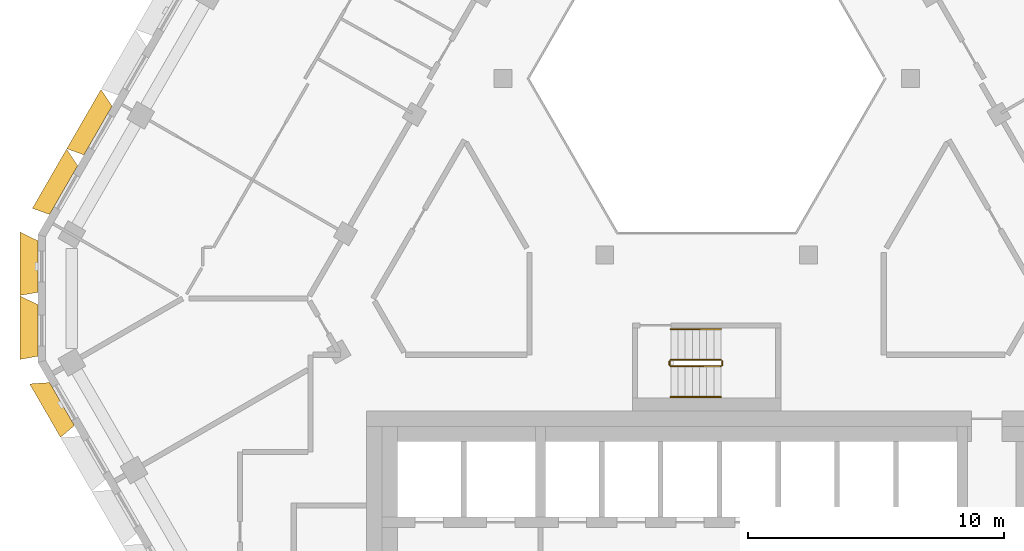
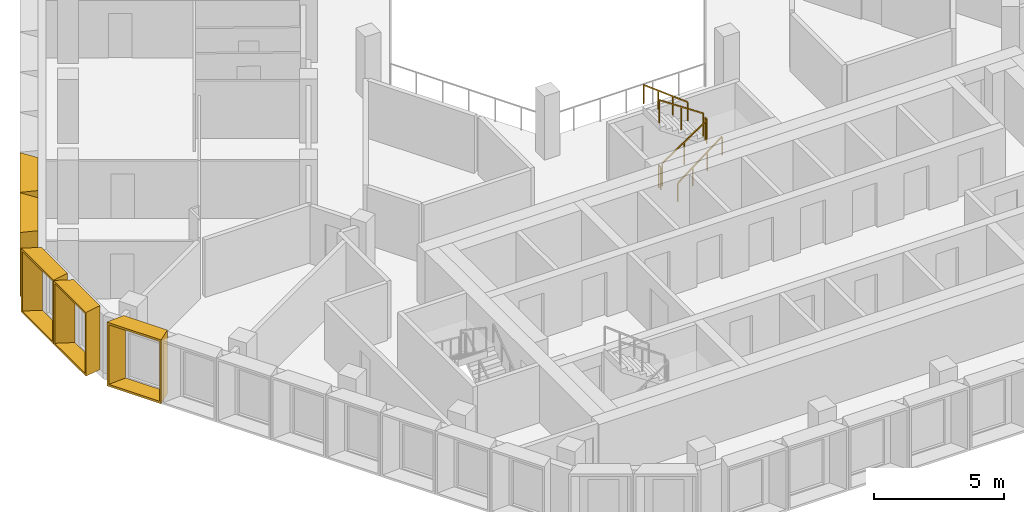
# One storey, part 14 of 17: 6 railings, 5 shading devices.
"""IFC4 building model written with IfcOpenShell, lengths in metres."""

from ifc_helpers import new_model, entity, si_unit, direction, frame, origin, origin_2d, place, context, subcontext, project, spatial, rectangle, extrude, source, transform, mapped, material, type_object, type_shapes, element, save


model = new_model("IFC4")

# Units and contexts
model_context = context("Model", 3, precision=1e-05, world=origin(), true_north=direction((0.0, 1.0)))
body_context = subcontext(model_context, "Body", "Model", "MODEL_VIEW")
ifc_project = project(units=[si_unit("LENGTHUNIT", "METRE"), si_unit("AREAUNIT", "SQUARE_METRE"), si_unit("VOLUMEUNIT", "CUBIC_METRE"), si_unit("PLANEANGLEUNIT", "RADIAN"), si_unit("MASSUNIT", "GRAM", prefix="KILO")], contexts=[model_context])

# Site, building, storey
site_placement = place(None, origin())
site = spatial("IfcSite", under=ifc_project, at=site_placement, CompositionType="ELEMENT")
building_placement = place(site_placement, origin())
building = spatial("IfcBuilding", under=site, at=building_placement, Name="Beryl Residences", CompositionType="ELEMENT")
storey_placement = place(building_placement, frame((0.0, 0.0, 166.199951171875)))
storey = spatial("IfcBuildingStorey", under=building, at=storey_placement, Name="L50", CompositionType="ELEMENT", Elevation=166.199951171875)

# Shading devices
ifc_material_1 = material(Name="Aluminium pale anodised", Category="aluminium")
shading_device_type_1 = type_object("IfcShadingDeviceType", Name="FR243-70B OUTER SKIN frame 700 mm deep, splay 26/10 deg, 2430 x 3000 mm cell", PredefinedType="USERDEFINED", material=ifc_material_1)
cartesian_point_1 = entity("IfcCartesianPoint", [-0.972412109375, 0.0])
cartesian_point_2 = entity("IfcCartesianPoint", [-0.883544921875, 0.10009765625])
cartesian_point_3 = entity("IfcCartesianPoint", [-1.31396484375, 0.0])
cartesian_point_4 = entity("IfcCartesianPoint", [-1.224853515625, 0.10009765625])
shared_shape_1 = source(origin(), body_context, "Body", "SweptSolid", [
    entity("IfcExtrudedAreaSolidTapered", entity("IfcArbitraryProfileDefWithVoids", "AREA", None, entity("IfcPolyline", [cartesian_point_1, entity("IfcCartesianPoint", [0.972412109375, 0.0]), entity("IfcCartesianPoint", [0.972412109375, 3.0]), entity("IfcCartesianPoint", [-0.972412109375, 3.0]), cartesian_point_1]), [entity("IfcPolyline", [cartesian_point_2, entity("IfcCartesianPoint", [0.891357421875, 0.10009765625]), entity("IfcCartesianPoint", [0.891357421875, 2.89990234375]), entity("IfcCartesianPoint", [-0.883544921875, 2.89990234375]), cartesian_point_2])]), entity("IfcAxis2Placement3D", entity("IfcCartesianPoint", [0.0, 0.0, 0.0]), entity("IfcDirection", [0.0, 1.0, 0.0]), entity("IfcDirection", [-1.0, 0.0, 0.0])), entity("IfcDirection", [0.0, 0.0, 1.0]), 0.699951171875, entity("IfcArbitraryProfileDefWithVoids", "AREA", None, entity("IfcPolyline", [cartesian_point_3, entity("IfcCartesianPoint", [1.095947265625, 0.0]), entity("IfcCartesianPoint", [1.095947265625, 3.0]), entity("IfcCartesianPoint", [-1.31396484375, 3.0]), cartesian_point_3]), [entity("IfcPolyline", [cartesian_point_4, entity("IfcCartesianPoint", [1.0146484375, 0.10009765625]), entity("IfcCartesianPoint", [1.0146484375, 2.89990234375]), entity("IfcCartesianPoint", [-1.224853515625, 2.89990234375]), cartesian_point_4])])),
])
type_shapes(shading_device_type_1, [shared_shape_1])
shading_device_placement = place(storey_placement, frame((-25.212890625, -4.72802734375, 0.0), z_axis=(0.0, 0.0, 1.0), x_axis=(-0.5, 0.866025403784, 0.0)))
element("IfcShadingDevice", 1, at=shading_device_placement, inside=storey, type_object=shading_device_type_1, Name="FR243-70B frame L50 SW 1", ObjectType="OUTER SKIN", PredefinedType="USERDEFINED", context=body_context, shape_type="MappedRepresentation", body=[
    mapped(shared_shape_1, transform((0.0, 0.0, 0.0))),
])
ifc_material_2 = material(Name="Aluminium pale anodised", Category="aluminium")
shading_device_type_2 = type_object("IfcShadingDeviceType", Name="FR250-70B OUTER SKIN frame 700 mm deep, splay 26/10 deg, 2500 x 3000 mm cell", PredefinedType="USERDEFINED", material=ifc_material_2)
cartesian_point_5 = entity("IfcCartesianPoint", [-1.007568359375, 0.0])
cartesian_point_6 = entity("IfcCartesianPoint", [-0.91845703125, 0.10009765625])
cartesian_point_7 = entity("IfcCartesianPoint", [-1.348876953125, 0.0])
cartesian_point_8 = entity("IfcCartesianPoint", [-1.260009765625, 0.10009765625])
shared_shape_2 = source(origin(), body_context, "Body", "SweptSolid", [
    entity("IfcExtrudedAreaSolidTapered", entity("IfcArbitraryProfileDefWithVoids", "AREA", None, entity("IfcPolyline", [cartesian_point_5, entity("IfcCartesianPoint", [1.007568359375, 0.0]), entity("IfcCartesianPoint", [1.007568359375, 3.0]), entity("IfcCartesianPoint", [-1.007568359375, 3.0]), cartesian_point_5]), [entity("IfcPolyline", [cartesian_point_6, entity("IfcCartesianPoint", [0.92626953125, 0.10009765625]), entity("IfcCartesianPoint", [0.92626953125, 2.89990234375]), entity("IfcCartesianPoint", [-0.91845703125, 2.89990234375]), cartesian_point_6])]), entity("IfcAxis2Placement3D", entity("IfcCartesianPoint", [0.0, 0.0, 0.0]), entity("IfcDirection", [0.0, 1.0, 0.0]), entity("IfcDirection", [-1.0, 0.0, 0.0])), entity("IfcDirection", [0.0, 0.0, 1.0]), 0.699951171875, entity("IfcArbitraryProfileDefWithVoids", "AREA", None, entity("IfcPolyline", [cartesian_point_7, entity("IfcCartesianPoint", [1.130859375, 0.0]), entity("IfcCartesianPoint", [1.130859375, 3.0]), entity("IfcCartesianPoint", [-1.348876953125, 3.0]), cartesian_point_7]), [entity("IfcPolyline", [cartesian_point_8, entity("IfcCartesianPoint", [1.0498046875, 0.10009765625]), entity("IfcCartesianPoint", [1.0498046875, 2.89990234375]), entity("IfcCartesianPoint", [-1.260009765625, 2.89990234375]), cartesian_point_8])])),
])
type_shapes(shading_device_type_2, [shared_shape_2])
for number, where, z_axis, x_axis, name in (
    (2, (-26.154052734375, 0.64990234375, 0.0), (0.0, 0.0, 1.0), (0.0, 1.0, 0.0), "FR250-70B frame L50 NW-SW 1"),
    (3, (-26.154052734375, -1.85009765625, 0.0), (0.0, 0.0, 1.0), (0.0, 1.0, 0.0), "FR250-70B frame L50 NW-SW 2"),
):
    element("IfcShadingDevice", number, at=place(storey_placement, frame(where, z_axis=z_axis, x_axis=x_axis)), inside=storey, type_object=shading_device_type_2, Name=name, ObjectType="OUTER SKIN", PredefinedType="USERDEFINED", context=body_context, shape_type="MappedRepresentation", body=[
        mapped(shared_shape_2, transform((0.0, 0.0, 0.0))),
    ])
ifc_material_3 = material(Name="Aluminium pale anodised", Category="aluminium")
shading_device_type_3 = type_object("IfcShadingDeviceType", Name="FR269-70B OUTER SKIN frame 700 mm deep, splay 26/10 deg, 2690 x 3000 mm cell", PredefinedType="USERDEFINED", material=ifc_material_3)
cartesian_point_9 = entity("IfcCartesianPoint", [-1.1025390625, 0.0])
cartesian_point_10 = entity("IfcCartesianPoint", [-1.013427734375, 0.10009765625])
cartesian_point_11 = entity("IfcCartesianPoint", [-1.44384765625, 0.0])
cartesian_point_12 = entity("IfcCartesianPoint", [-1.35498046875, 0.10009765625])
shared_shape_3 = source(origin(), body_context, "Body", "SweptSolid", [
    entity("IfcExtrudedAreaSolidTapered", entity("IfcArbitraryProfileDefWithVoids", "AREA", None, entity("IfcPolyline", [cartesian_point_9, entity("IfcCartesianPoint", [1.1025390625, 0.0]), entity("IfcCartesianPoint", [1.1025390625, 3.0]), entity("IfcCartesianPoint", [-1.1025390625, 3.0]), cartesian_point_9]), [entity("IfcPolyline", [cartesian_point_10, entity("IfcCartesianPoint", [1.021240234375, 0.10009765625]), entity("IfcCartesianPoint", [1.021240234375, 2.89990234375]), entity("IfcCartesianPoint", [-1.013427734375, 2.89990234375]), cartesian_point_10])]), entity("IfcAxis2Placement3D", entity("IfcCartesianPoint", [0.0, 0.0, 0.0]), entity("IfcDirection", [0.0, 1.0, 0.0]), entity("IfcDirection", [-1.0, 0.0, 0.0])), entity("IfcDirection", [0.0, 0.0, 1.0]), 0.699951171875, entity("IfcArbitraryProfileDefWithVoids", "AREA", None, entity("IfcPolyline", [cartesian_point_11, entity("IfcCartesianPoint", [1.225830078125, 0.0]), entity("IfcCartesianPoint", [1.225830078125, 3.0]), entity("IfcCartesianPoint", [-1.44384765625, 3.0]), cartesian_point_11]), [entity("IfcPolyline", [cartesian_point_12, entity("IfcCartesianPoint", [1.144775390625, 0.10009765625]), entity("IfcCartesianPoint", [1.144775390625, 2.89990234375]), entity("IfcCartesianPoint", [-1.35498046875, 2.89990234375]), cartesian_point_12])])),
])
type_shapes(shading_device_type_3, [shared_shape_3])
for number, where, z_axis, x_axis, name in (
    (4, (-23.802978515625, 5.971923828125, 0.0), (0.0, 0.0, 1.0), (0.5, 0.866025403784, 0.0), "FR269-70B frame L50 NW 7"),
    (5, (-25.14892578125, 3.639892578125, 0.0), (0.0, 0.0, 1.0), (0.5, 0.866025403784, 0.0), "FR269-70B frame L50 NW 8"),
):
    element("IfcShadingDevice", number, at=place(storey_placement, frame(where, z_axis=z_axis, x_axis=x_axis)), inside=storey, type_object=shading_device_type_3, Name=name, ObjectType="OUTER SKIN", PredefinedType="USERDEFINED", context=body_context, shape_type="MappedRepresentation", body=[
        mapped(shared_shape_3, transform((0.0, 0.0, 0.0))),
    ])

# Railings
ifc_material_4 = material(Name="Stainless steel balustrade with glass infill", Category="steel")
railing_type_1 = type_object("IfcRailingType", Name="SG1 stair guard 1100 mm", PredefinedType="GUARDRAIL", material=ifc_material_4)
railing_1_placement = place(storey_placement, frame((-1.39990234375, -3.25, 0.1875)))
element("IfcRailing", 6, at=railing_1_placement, inside=storey, type_object=railing_type_1, Name="L50 ST-4 stair guard 1", PredefinedType="GUARDRAIL", context=body_context, shape_type="SweptSolid", body=[
    extrude(rectangle(XDim=0.048095703125, YDim=0.048095703125, at=origin_2d()), frame((0.0, 0.0, 1.076171875), z_axis=(0.830902050051, 0.0, 0.556418712142), x_axis=(0.0, 1.0, 0.0)), (0.0, 0.0, 1.0), 2.35888671875),
    extrude(rectangle(XDim=0.0419921875, YDim=0.0419921875, at=origin_2d()), origin(), (0.0, 0.0, 1.0), 1.052001953125),
    extrude(rectangle(XDim=0.0419921875, YDim=0.0419921875, at=origin_2d()), frame((0.97998046875, 0.0, 0.65625)), (0.0, 0.0, 1.0), 1.052001953125),
    extrude(rectangle(XDim=0.0419921875, YDim=0.0419921875, at=origin_2d()), frame((1.9599609375, 0.0, 1.3125)), (0.0, 0.0, 1.0), 1.052001953125),
])
railing_2_placement = place(storey_placement, frame((0.610107421875, -3.199951171875, 1.5)))
element("IfcRailing", 7, at=railing_2_placement, inside=storey, type_object=railing_type_1, Name="L50 ST-4 stair guard 2", PredefinedType="GUARDRAIL", context=body_context, shape_type="SweptSolid", body=[
    extrude(rectangle(XDim=0.048095703125, YDim=0.048095703125, at=origin_2d()), frame((0.0, 0.0, 1.076171875), z_axis=(0.0, 1.0, 0.0), x_axis=(-1.0, 0.0, 0.0)), (0.0, 0.0, 1.0), 0.14990234375),
    extrude(rectangle(XDim=0.0419921875, YDim=0.0419921875, at=origin_2d()), origin(), (0.0, 0.0, 1.0), 1.052001953125),
    extrude(rectangle(XDim=0.0419921875, YDim=0.0419921875, at=origin_2d()), frame((0.0, 0.14990234375, 0.0)), (0.0, 0.0, 1.0), 1.052001953125),
])
railing_3_placement = place(storey_placement, frame((0.56005859375, -3.0, 1.6875)))
element("IfcRailing", 8, at=railing_3_placement, inside=storey, type_object=railing_type_1, Name="L50 ST-4 stair guard 3", PredefinedType="GUARDRAIL", context=body_context, shape_type="SweptSolid", body=[
    extrude(rectangle(XDim=0.048095703125, YDim=0.048095703125, at=origin_2d()), frame((0.0, 0.0, 1.076171875), z_axis=(-0.830902050051, 0.0, 0.556418712142), x_axis=(0.0, -1.0, 0.0)), (0.0, 0.0, 1.0), 2.35888671875),
    extrude(rectangle(XDim=0.0419921875, YDim=0.0419921875, at=origin_2d()), origin(), (0.0, 0.0, 1.0), 1.052001953125),
    extrude(rectangle(XDim=0.0419921875, YDim=0.0419921875, at=origin_2d()), frame((-0.97998046875, 0.0, 0.65625)), (0.0, 0.0, 1.0), 1.052001953125),
    extrude(rectangle(XDim=0.0419921875, YDim=0.0419921875, at=origin_2d()), frame((-1.9599609375, 0.0, 1.3125)), (0.0, 0.0, 1.0), 1.052001953125),
])
railing_4_placement = place(storey_placement, frame((-1.449951171875, -3.199951171875, 0.0)))
element("IfcRailing", 9, at=railing_4_placement, inside=storey, type_object=railing_type_1, Name="L50 ST-4 stair guard 4", PredefinedType="GUARDRAIL", context=body_context, shape_type="SweptSolid", body=[
    extrude(rectangle(XDim=0.048095703125, YDim=0.048095703125, at=origin_2d()), frame((0.0, 0.0, 1.076171875), z_axis=(0.0, 1.0, 0.0), x_axis=(-1.0, 0.0, 0.0)), (0.0, 0.0, 1.0), 0.14990234375),
    extrude(rectangle(XDim=0.0419921875, YDim=0.0419921875, at=origin_2d()), origin(), (0.0, 0.0, 1.0), 1.052001953125),
    extrude(rectangle(XDim=0.0419921875, YDim=0.0419921875, at=origin_2d()), frame((0.0, 0.14990234375, 0.0)), (0.0, 0.0, 1.0), 1.052001953125),
])
ifc_material_5 = material(Name="Stainless steel handrail", Category="steel")
railing_type_2 = type_object("IfcRailingType", Name="SRL1 stair handrail 900 mm", PredefinedType="HANDRAIL", material=ifc_material_5)
railing_5_placement = place(storey_placement, frame((-1.39990234375, -4.449951171875, 0.1875)))
element("IfcRailing", 10, at=railing_5_placement, inside=storey, type_object=railing_type_2, Name="L50 ST-4 stair handrail 1", PredefinedType="HANDRAIL", context=body_context, shape_type="SweptSolid", body=[
    extrude(rectangle(XDim=0.048095703125, YDim=0.048095703125, at=origin_2d()), frame((0.0, 0.0, 0.8759765625), z_axis=(0.794121922505, 0.0, 0.607758481798), x_axis=(0.0, 1.0, 0.0)), (0.0, 0.0, 1.0), 2.468017578125),
    extrude(rectangle(XDim=0.0419921875, YDim=0.0419921875, at=origin_2d()), origin(), (0.0, 0.0, 1.0), 0.851806640625),
    extrude(rectangle(XDim=0.0419921875, YDim=0.0419921875, at=origin_2d()), frame((0.6533203125, 0.0, 0.5)), (0.0, 0.0, 1.0), 0.851806640625),
    extrude(rectangle(XDim=0.0419921875, YDim=0.0419921875, at=origin_2d()), frame((1.306640625, 0.0, 1.0)), (0.0, 0.0, 1.0), 0.851806640625),
    extrude(rectangle(XDim=0.0419921875, YDim=0.0419921875, at=origin_2d()), frame((1.9599609375, 0.0, 1.5)), (0.0, 0.0, 1.0), 0.851806640625),
])
railing_6_placement = place(storey_placement, frame((0.56005859375, -1.800048828125, 1.6875)))
element("IfcRailing", 11, at=railing_6_placement, inside=storey, type_object=railing_type_2, Name="L50 ST-4 stair handrail 2", PredefinedType="HANDRAIL", context=body_context, shape_type="SweptSolid", body=[
    extrude(rectangle(XDim=0.048095703125, YDim=0.048095703125, at=origin_2d()), frame((0.0, 0.0, 0.8759765625), z_axis=(-0.794121922505, 0.0, 0.607758481798), x_axis=(0.0, -1.0, 0.0)), (0.0, 0.0, 1.0), 2.468017578125),
    extrude(rectangle(XDim=0.0419921875, YDim=0.0419921875, at=origin_2d()), origin(), (0.0, 0.0, 1.0), 0.851806640625),
    extrude(rectangle(XDim=0.0419921875, YDim=0.0419921875, at=origin_2d()), frame((-0.6533203125, 0.0, 0.5)), (0.0, 0.0, 1.0), 0.851806640625),
    extrude(rectangle(XDim=0.0419921875, YDim=0.0419921875, at=origin_2d()), frame((-1.306640625, 0.0, 1.0)), (0.0, 0.0, 1.0), 0.851806640625),
    extrude(rectangle(XDim=0.0419921875, YDim=0.0419921875, at=origin_2d()), frame((-1.9599609375, 0.0, 1.5)), (0.0, 0.0, 1.0), 0.851806640625),
])

save(model, "model.ifc")
